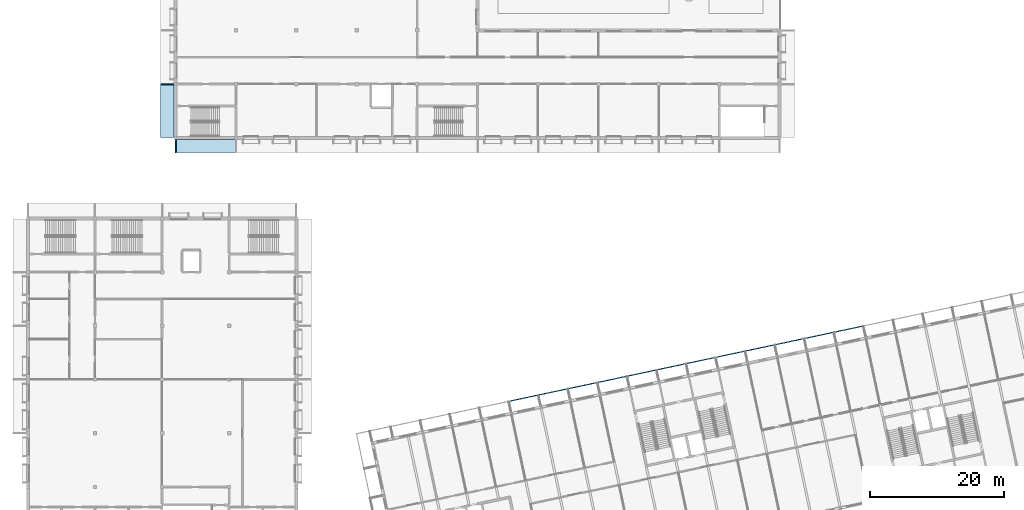
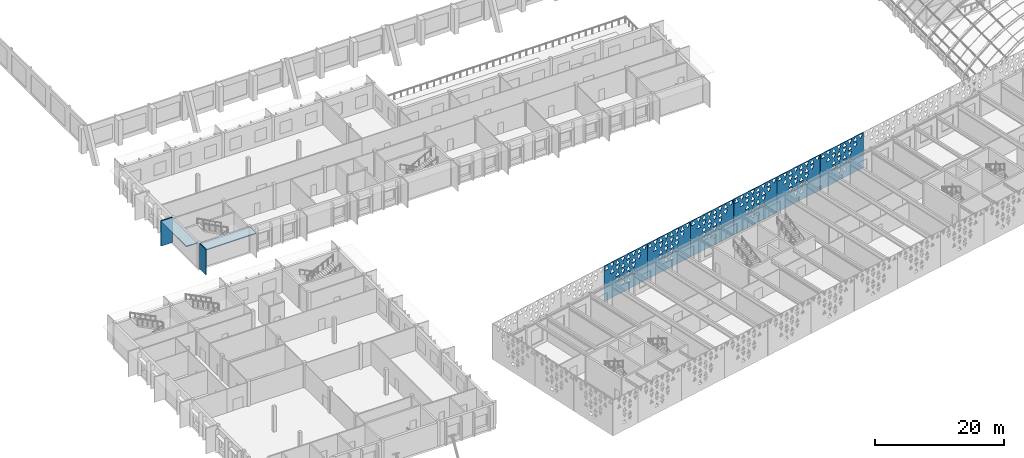
# One storey, part 98 of 182: 10 plates.
"""IFC4 building model written with IfcOpenShell, lengths in metres."""

from ifc_helpers import new_model, si_unit, direction, frame, origin, origin_2d, place, context, subcontext, project, spatial, polyline, rectangle, outline, extrude, material, layer, layer_set, type_object, element, save


model = new_model("IFC4")

# Units and contexts
model_context = context("Model", 3, precision=1e-05, world=origin(), true_north=direction((0.0, 1.0)))
body_context = subcontext(model_context, "Body", "Model", "MODEL_VIEW")
ifc_project = project(units=[si_unit("LENGTHUNIT", "METRE"), si_unit("AREAUNIT", "SQUARE_METRE"), si_unit("VOLUMEUNIT", "CUBIC_METRE"), si_unit("PLANEANGLEUNIT", "RADIAN"), si_unit("MASSUNIT", "GRAM", prefix="KILO")], contexts=[model_context])

# Site, building, storey
site_placement = place(None, origin())
site = spatial("IfcSite", under=ifc_project, at=site_placement, CompositionType="ELEMENT")
building_placement = place(site_placement, origin())
building = spatial("IfcBuilding", under=site, at=building_placement, Name="Okhra Congress Centre", CompositionType="ELEMENT")
storey_placement = place(building_placement, frame((0.0, 0.0, 7.199951171875)))
storey = spatial("IfcBuildingStorey", under=building, at=storey_placement, Name="L01", CompositionType="ELEMENT", Elevation=7.199951171875)

# Plates
ifc_material_1 = material(Name="Precast concrete C40/50", Category="concrete")
plate_type_1 = type_object("IfcPlateType", Name="Precast concrete blade 150x2000 C40/50", PredefinedType="SHEET", material=ifc_material_1)
for number, where, z_axis, x_axis, name in (
    (1, (28.0, 94.77490234375, 0.0), (0.0, 0.0, 1.0), (1.0, 0.0, 0.0), "SV.PLT.L01.blade-1"),
    (2, (26.77490234375, 104.0, 0.0), (0.0, 0.0, 1.0), (0.0, -1.0, 0.0), "SV.PLT.L01.blade-18"),
):
    element("IfcPlate", number, at=place(storey_placement, frame(where, z_axis=z_axis, x_axis=x_axis)), inside=storey, type_object=plate_type_1, Name=name, PredefinedType="SHEET", context=body_context, shape_type="SweptSolid", body=[
        extrude(rectangle(XDim=0.14990234375, YDim=2.0, at=origin_2d()), origin(), (0.0, 0.0, 1.0), 4.800048828125),
    ])
ifc_layer_1 = layer(ifc_material_1, 0.14990234375)
ifc_layer_set_1 = layer_set([ifc_layer_1], Name="Precast concrete shelf 150x2000 C40/50")
plate_type_2 = type_object("IfcPlateType", Name="Precast concrete shelf 150x2000 C40/50", PredefinedType="SHEET", material=ifc_layer_set_1)
plate_1_placement = place(storey_placement, frame((32.5, 94.77490234375, 4.60009765625), z_axis=(0.0, 0.0, 1.0), x_axis=(1.0, 0.0, 0.0)))
element("IfcPlate", 3, at=plate_1_placement, inside=storey, type_object=plate_type_2, Name="SV.PLT.L01.shelf-1", PredefinedType="SHEET", context=body_context, shape_type="SweptSolid", body=[
    extrude(rectangle(XDim=8.840087890625, YDim=2.0, at=origin_2d()), origin(), (0.0, 0.0, 1.0), 0.14990234375),
])
plate_2_placement = place(storey_placement, frame((26.77490234375, 100.0, 4.60009765625), z_axis=(0.0, 0.0, 1.0), x_axis=(0.0, -1.0, 0.0)))
element("IfcPlate", 4, at=plate_2_placement, inside=storey, type_object=plate_type_2, Name="SV.PLT.L01.shelf-16", PredefinedType="SHEET", context=body_context, shape_type="SweptSolid", body=[
    extrude(rectangle(XDim=7.840087890625, YDim=2.0, at=origin_2d()), origin(), (0.0, 0.0, 1.0), 0.14990234375),
])
ifc_material_2 = material(Name="Fired clay terracotta rainscreen panel, deep oxide-red glaze, non-combustible", Category="masonry")
ifc_layer_2 = layer(ifc_material_2, 0.080078125)
ifc_layer_set_2 = layer_set([ifc_layer_2], Name="Terracotta screen panel 8980x6720")
plate_type_3 = type_object("IfcPlateType", Name="Terracotta screen panel 8980x6720", PredefinedType="SHEET", material=ifc_layer_set_2)
plate_3_placement = place(storey_placement, frame((130.460205078125, 67.97314453125, 0.010009765625), z_axis=(0.0, 0.0, 1.0), x_axis=(-0.978144061878, -0.207928339131, 0.0)))
element("IfcPlate", 5, at=plate_3_placement, inside=storey, type_object=plate_type_3, Name="Screen panel N11 Tier 1", PredefinedType="SHEET", context=body_context, shape_type="SweptSolid", body=[
    extrude(outline(polyline([(0.0, 0.0), (8.97998046875, 0.0), (8.97998046875, 6.719970703125), (0.0, 6.719970703125), (0.0, 0.0)]), holes=[polyline([(3.536376953125, 1.303955078125), (4.3037109375, 1.303955078125), (3.919921875, 2.05615234375), (3.536376953125, 1.303955078125)]), polyline([(4.656494140625, 2.05615234375), (5.0400390625, 1.303955078125), (5.423583984375, 2.05615234375), (4.656494140625, 2.05615234375)]), polyline([(2.41650390625, 2.423828125), (3.18359375, 2.423828125), (2.800048828125, 3.176025390625), (2.41650390625, 2.423828125)]), polyline([(3.536376953125, 3.176025390625), (3.919921875, 2.423828125), (4.3037109375, 3.176025390625), (3.536376953125, 3.176025390625)]), polyline([(4.656494140625, 2.423828125), (5.423583984375, 2.423828125), (5.0400390625, 3.176025390625), (4.656494140625, 2.423828125)]), polyline([(5.7763671875, 3.176025390625), (6.159912109375, 2.423828125), (6.543701171875, 3.176025390625), (5.7763671875, 3.176025390625)]), polyline([(2.41650390625, 4.296142578125), (2.800048828125, 3.5439453125), (3.18359375, 4.296142578125), (2.41650390625, 4.296142578125)]), polyline([(3.536376953125, 3.5439453125), (4.3037109375, 3.5439453125), (3.919921875, 4.296142578125), (3.536376953125, 3.5439453125)]), polyline([(4.656494140625, 4.296142578125), (5.0400390625, 3.5439453125), (5.423583984375, 4.296142578125), (4.656494140625, 4.296142578125)]), polyline([(5.7763671875, 3.5439453125), (6.543701171875, 3.5439453125), (6.159912109375, 4.296142578125), (5.7763671875, 3.5439453125)]), polyline([(1.29638671875, 5.416015625), (1.679931640625, 4.663818359375), (2.0634765625, 5.416015625), (1.29638671875, 5.416015625)]), polyline([(2.41650390625, 4.663818359375), (3.18359375, 4.663818359375), (2.800048828125, 5.416015625), (2.41650390625, 4.663818359375)]), polyline([(3.536376953125, 5.416015625), (3.919921875, 4.663818359375), (4.3037109375, 5.416015625), (3.536376953125, 5.416015625)]), polyline([(4.656494140625, 4.663818359375), (5.423583984375, 4.663818359375), (5.0400390625, 5.416015625), (4.656494140625, 4.663818359375)]), polyline([(5.7763671875, 5.416015625), (6.159912109375, 4.663818359375), (6.543701171875, 5.416015625), (5.7763671875, 5.416015625)]), polyline([(6.896484375, 4.663818359375), (7.66357421875, 4.663818359375), (7.280029296875, 5.416015625), (6.896484375, 4.663818359375)]), polyline([(0.176513671875, 6.5361328125), (0.56005859375, 5.783935546875), (0.943603515625, 6.5361328125), (0.176513671875, 6.5361328125)]), polyline([(1.29638671875, 5.783935546875), (2.0634765625, 5.783935546875), (1.679931640625, 6.5361328125), (1.29638671875, 5.783935546875)]), polyline([(2.41650390625, 6.5361328125), (2.800048828125, 5.783935546875), (3.18359375, 6.5361328125), (2.41650390625, 6.5361328125)]), polyline([(3.536376953125, 5.783935546875), (4.3037109375, 5.783935546875), (3.919921875, 6.5361328125), (3.536376953125, 5.783935546875)]), polyline([(4.656494140625, 6.5361328125), (5.0400390625, 5.783935546875), (5.423583984375, 6.5361328125), (4.656494140625, 6.5361328125)]), polyline([(5.7763671875, 5.783935546875), (6.543701171875, 5.783935546875), (6.159912109375, 6.5361328125), (5.7763671875, 5.783935546875)]), polyline([(6.896484375, 6.5361328125), (7.280029296875, 5.783935546875), (7.66357421875, 6.5361328125), (6.896484375, 6.5361328125)]), polyline([(8.016357421875, 5.783935546875), (8.78369140625, 5.783935546875), (8.39990234375, 6.5361328125), (8.016357421875, 5.783935546875)])]), frame((0.0, 0.0400390625, 0.0), z_axis=(0.0, -1.0, 0.0), x_axis=(1.0, 0.0, 0.0)), (0.0, 0.0, 1.0), 0.080078125),
])
plate_4_placement = place(storey_placement, frame((121.65673828125, 66.101806640625, 0.010009765625), z_axis=(0.0, 0.0, 1.0), x_axis=(-0.978149591018, -0.207902327047, 0.0)))
element("IfcPlate", 6, at=plate_4_placement, inside=storey, type_object=plate_type_3, Name="Screen panel N12 Tier 1", PredefinedType="SHEET", context=body_context, shape_type="SweptSolid", body=[
    extrude(outline(polyline([(0.0, 0.0), (8.97998046875, 0.0), (8.97998046875, 6.719970703125), (0.0, 6.719970703125), (0.0, 0.0)]), holes=[polyline([(3.536376953125, 1.303955078125), (4.3037109375, 1.303955078125), (3.919921875, 2.05615234375), (3.536376953125, 1.303955078125)]), polyline([(4.656494140625, 2.05615234375), (5.0400390625, 1.303955078125), (5.423583984375, 2.05615234375), (4.656494140625, 2.05615234375)]), polyline([(2.41650390625, 2.423828125), (3.18359375, 2.423828125), (2.800048828125, 3.176025390625), (2.41650390625, 2.423828125)]), polyline([(3.536376953125, 3.176025390625), (3.919921875, 2.423828125), (4.3037109375, 3.176025390625), (3.536376953125, 3.176025390625)]), polyline([(4.656494140625, 2.423828125), (5.423583984375, 2.423828125), (5.0400390625, 3.176025390625), (4.656494140625, 2.423828125)]), polyline([(5.7763671875, 3.176025390625), (6.159912109375, 2.423828125), (6.543701171875, 3.176025390625), (5.7763671875, 3.176025390625)]), polyline([(2.41650390625, 4.296142578125), (2.800048828125, 3.5439453125), (3.18359375, 4.296142578125), (2.41650390625, 4.296142578125)]), polyline([(3.536376953125, 3.5439453125), (4.3037109375, 3.5439453125), (3.919921875, 4.296142578125), (3.536376953125, 3.5439453125)]), polyline([(4.656494140625, 4.296142578125), (5.0400390625, 3.5439453125), (5.423583984375, 4.296142578125), (4.656494140625, 4.296142578125)]), polyline([(5.7763671875, 3.5439453125), (6.543701171875, 3.5439453125), (6.159912109375, 4.296142578125), (5.7763671875, 3.5439453125)]), polyline([(1.29638671875, 5.416015625), (1.679931640625, 4.663818359375), (2.0634765625, 5.416015625), (1.29638671875, 5.416015625)]), polyline([(2.41650390625, 4.663818359375), (3.18359375, 4.663818359375), (2.800048828125, 5.416015625), (2.41650390625, 4.663818359375)]), polyline([(3.536376953125, 5.416015625), (3.919921875, 4.663818359375), (4.3037109375, 5.416015625), (3.536376953125, 5.416015625)]), polyline([(4.656494140625, 4.663818359375), (5.423583984375, 4.663818359375), (5.0400390625, 5.416015625), (4.656494140625, 4.663818359375)]), polyline([(5.7763671875, 5.416015625), (6.159912109375, 4.663818359375), (6.543701171875, 5.416015625), (5.7763671875, 5.416015625)]), polyline([(6.896484375, 4.663818359375), (7.66357421875, 4.663818359375), (7.280029296875, 5.416015625), (6.896484375, 4.663818359375)]), polyline([(0.176513671875, 6.5361328125), (0.56005859375, 5.783935546875), (0.943603515625, 6.5361328125), (0.176513671875, 6.5361328125)]), polyline([(1.29638671875, 5.783935546875), (2.0634765625, 5.783935546875), (1.679931640625, 6.5361328125), (1.29638671875, 5.783935546875)]), polyline([(2.41650390625, 6.5361328125), (2.800048828125, 5.783935546875), (3.18359375, 6.5361328125), (2.41650390625, 6.5361328125)]), polyline([(3.536376953125, 5.783935546875), (4.3037109375, 5.783935546875), (3.919921875, 6.5361328125), (3.536376953125, 5.783935546875)]), polyline([(4.656494140625, 6.5361328125), (5.0400390625, 5.783935546875), (5.423583984375, 6.5361328125), (4.656494140625, 6.5361328125)]), polyline([(5.7763671875, 5.783935546875), (6.543701171875, 5.783935546875), (6.159912109375, 6.5361328125), (5.7763671875, 5.783935546875)]), polyline([(6.896484375, 6.5361328125), (7.280029296875, 5.783935546875), (7.66357421875, 6.5361328125), (6.896484375, 6.5361328125)]), polyline([(8.016357421875, 5.783935546875), (8.78369140625, 5.783935546875), (8.39990234375, 6.5361328125), (8.016357421875, 5.783935546875)])]), frame((0.0, 0.0400390625, 0.0), z_axis=(0.0, -1.0, 0.0), x_axis=(1.0, 0.0, 0.0)), (0.0, 0.0, 1.0), 0.080078125),
])
plate_5_placement = place(storey_placement, frame((112.853515625, 64.230712890625, 0.010009765625), z_axis=(0.0, 0.0, 1.0), x_axis=(-0.978144061878, -0.207928339131, 0.0)))
element("IfcPlate", 7, at=plate_5_placement, inside=storey, type_object=plate_type_3, Name="Screen panel N13 Tier 1", PredefinedType="SHEET", context=body_context, shape_type="SweptSolid", body=[
    extrude(outline(polyline([(0.0, 0.0), (8.97998046875, 0.0), (8.97998046875, 6.719970703125), (0.0, 6.719970703125), (0.0, 0.0)]), holes=[polyline([(3.536376953125, 1.303955078125), (4.3037109375, 1.303955078125), (3.919921875, 2.05615234375), (3.536376953125, 1.303955078125)]), polyline([(4.656494140625, 2.05615234375), (5.0400390625, 1.303955078125), (5.423583984375, 2.05615234375), (4.656494140625, 2.05615234375)]), polyline([(2.41650390625, 2.423828125), (3.18359375, 2.423828125), (2.800048828125, 3.176025390625), (2.41650390625, 2.423828125)]), polyline([(3.536376953125, 3.176025390625), (3.919921875, 2.423828125), (4.3037109375, 3.176025390625), (3.536376953125, 3.176025390625)]), polyline([(4.656494140625, 2.423828125), (5.423583984375, 2.423828125), (5.0400390625, 3.176025390625), (4.656494140625, 2.423828125)]), polyline([(5.7763671875, 3.176025390625), (6.159912109375, 2.423828125), (6.543701171875, 3.176025390625), (5.7763671875, 3.176025390625)]), polyline([(2.41650390625, 4.296142578125), (2.800048828125, 3.5439453125), (3.18359375, 4.296142578125), (2.41650390625, 4.296142578125)]), polyline([(3.536376953125, 3.5439453125), (4.3037109375, 3.5439453125), (3.919921875, 4.296142578125), (3.536376953125, 3.5439453125)]), polyline([(4.656494140625, 4.296142578125), (5.0400390625, 3.5439453125), (5.423583984375, 4.296142578125), (4.656494140625, 4.296142578125)]), polyline([(5.7763671875, 3.5439453125), (6.543701171875, 3.5439453125), (6.159912109375, 4.296142578125), (5.7763671875, 3.5439453125)]), polyline([(1.29638671875, 5.416015625), (1.679931640625, 4.663818359375), (2.0634765625, 5.416015625), (1.29638671875, 5.416015625)]), polyline([(2.41650390625, 4.663818359375), (3.18359375, 4.663818359375), (2.800048828125, 5.416015625), (2.41650390625, 4.663818359375)]), polyline([(3.536376953125, 5.416015625), (3.919921875, 4.663818359375), (4.3037109375, 5.416015625), (3.536376953125, 5.416015625)]), polyline([(4.656494140625, 4.663818359375), (5.423583984375, 4.663818359375), (5.0400390625, 5.416015625), (4.656494140625, 4.663818359375)]), polyline([(5.7763671875, 5.416015625), (6.159912109375, 4.663818359375), (6.543701171875, 5.416015625), (5.7763671875, 5.416015625)]), polyline([(6.896484375, 4.663818359375), (7.66357421875, 4.663818359375), (7.280029296875, 5.416015625), (6.896484375, 4.663818359375)]), polyline([(0.176513671875, 6.5361328125), (0.56005859375, 5.783935546875), (0.943603515625, 6.5361328125), (0.176513671875, 6.5361328125)]), polyline([(1.29638671875, 5.783935546875), (2.0634765625, 5.783935546875), (1.679931640625, 6.5361328125), (1.29638671875, 5.783935546875)]), polyline([(2.41650390625, 6.5361328125), (2.800048828125, 5.783935546875), (3.18359375, 6.5361328125), (2.41650390625, 6.5361328125)]), polyline([(3.536376953125, 5.783935546875), (4.3037109375, 5.783935546875), (3.919921875, 6.5361328125), (3.536376953125, 5.783935546875)]), polyline([(4.656494140625, 6.5361328125), (5.0400390625, 5.783935546875), (5.423583984375, 6.5361328125), (4.656494140625, 6.5361328125)]), polyline([(5.7763671875, 5.783935546875), (6.543701171875, 5.783935546875), (6.159912109375, 6.5361328125), (5.7763671875, 5.783935546875)]), polyline([(6.896484375, 6.5361328125), (7.280029296875, 5.783935546875), (7.66357421875, 6.5361328125), (6.896484375, 6.5361328125)]), polyline([(8.016357421875, 5.783935546875), (8.78369140625, 5.783935546875), (8.39990234375, 6.5361328125), (8.016357421875, 5.783935546875)])]), frame((0.0, 0.0400390625, 0.0), z_axis=(0.0, -1.0, 0.0), x_axis=(1.0, 0.0, 0.0)), (0.0, 0.0, 1.0), 0.080078125),
])
plate_6_placement = place(storey_placement, frame((104.05029296875, 62.359375, 0.010009765625), z_axis=(0.0, 0.0, 1.0), x_axis=(-0.978150766104, -0.207896798366, 0.0)))
element("IfcPlate", 8, at=plate_6_placement, inside=storey, type_object=plate_type_3, Name="Screen panel N14 Tier 1", PredefinedType="SHEET", context=body_context, shape_type="SweptSolid", body=[
    extrude(outline(polyline([(0.0, 0.0), (8.980224609375, 0.0), (8.980224609375, 6.719970703125), (0.0, 6.719970703125), (0.0, 0.0)]), holes=[polyline([(3.536376953125, 1.303955078125), (4.3037109375, 1.303955078125), (3.919921875, 2.05615234375), (3.536376953125, 1.303955078125)]), polyline([(4.656494140625, 2.05615234375), (5.0400390625, 1.303955078125), (5.423583984375, 2.05615234375), (4.656494140625, 2.05615234375)]), polyline([(2.41650390625, 2.423828125), (3.18359375, 2.423828125), (2.800048828125, 3.176025390625), (2.41650390625, 2.423828125)]), polyline([(3.536376953125, 3.176025390625), (3.919921875, 2.423828125), (4.3037109375, 3.176025390625), (3.536376953125, 3.176025390625)]), polyline([(4.656494140625, 2.423828125), (5.423583984375, 2.423828125), (5.0400390625, 3.176025390625), (4.656494140625, 2.423828125)]), polyline([(5.7763671875, 3.176025390625), (6.159912109375, 2.423828125), (6.543701171875, 3.176025390625), (5.7763671875, 3.176025390625)]), polyline([(2.41650390625, 4.296142578125), (2.800048828125, 3.5439453125), (3.18359375, 4.296142578125), (2.41650390625, 4.296142578125)]), polyline([(3.536376953125, 3.5439453125), (4.3037109375, 3.5439453125), (3.919921875, 4.296142578125), (3.536376953125, 3.5439453125)]), polyline([(4.656494140625, 4.296142578125), (5.0400390625, 3.5439453125), (5.423583984375, 4.296142578125), (4.656494140625, 4.296142578125)]), polyline([(5.7763671875, 3.5439453125), (6.543701171875, 3.5439453125), (6.159912109375, 4.296142578125), (5.7763671875, 3.5439453125)]), polyline([(1.29638671875, 5.416015625), (1.679931640625, 4.663818359375), (2.0634765625, 5.416015625), (1.29638671875, 5.416015625)]), polyline([(2.41650390625, 4.663818359375), (3.18359375, 4.663818359375), (2.800048828125, 5.416015625), (2.41650390625, 4.663818359375)]), polyline([(3.536376953125, 5.416015625), (3.919921875, 4.663818359375), (4.3037109375, 5.416015625), (3.536376953125, 5.416015625)]), polyline([(4.656494140625, 4.663818359375), (5.423583984375, 4.663818359375), (5.0400390625, 5.416015625), (4.656494140625, 4.663818359375)]), polyline([(5.7763671875, 5.416015625), (6.159912109375, 4.663818359375), (6.543701171875, 5.416015625), (5.7763671875, 5.416015625)]), polyline([(6.896484375, 4.663818359375), (7.66357421875, 4.663818359375), (7.280029296875, 5.416015625), (6.896484375, 4.663818359375)]), polyline([(0.176513671875, 6.5361328125), (0.56005859375, 5.783935546875), (0.943603515625, 6.5361328125), (0.176513671875, 6.5361328125)]), polyline([(1.29638671875, 5.783935546875), (2.0634765625, 5.783935546875), (1.679931640625, 6.5361328125), (1.29638671875, 5.783935546875)]), polyline([(2.41650390625, 6.5361328125), (2.800048828125, 5.783935546875), (3.18359375, 6.5361328125), (2.41650390625, 6.5361328125)]), polyline([(3.536376953125, 5.783935546875), (4.3037109375, 5.783935546875), (3.919921875, 6.5361328125), (3.536376953125, 5.783935546875)]), polyline([(4.656494140625, 6.5361328125), (5.0400390625, 5.783935546875), (5.423583984375, 6.5361328125), (4.656494140625, 6.5361328125)]), polyline([(5.7763671875, 5.783935546875), (6.543701171875, 5.783935546875), (6.159912109375, 6.5361328125), (5.7763671875, 5.783935546875)]), polyline([(6.896484375, 6.5361328125), (7.280029296875, 5.783935546875), (7.66357421875, 6.5361328125), (6.896484375, 6.5361328125)]), polyline([(8.016357421875, 5.783935546875), (8.78369140625, 5.783935546875), (8.39990234375, 6.5361328125), (8.016357421875, 5.783935546875)])]), frame((0.0, 0.0400390625, 0.0), z_axis=(0.0, -1.0, 0.0), x_axis=(1.0, 0.0, 0.0)), (0.0, 0.0, 1.0), 0.080078125),
])
plate_7_placement = place(storey_placement, frame((95.246826171875, 60.48828125, 0.010009765625), z_axis=(0.0, 0.0, 1.0), x_axis=(-0.978144061878, -0.207928339131, 0.0)))
element("IfcPlate", 9, at=plate_7_placement, inside=storey, type_object=plate_type_3, Name="Screen panel N15 Tier 1", PredefinedType="SHEET", context=body_context, shape_type="SweptSolid", body=[
    extrude(outline(polyline([(0.0, 0.0), (8.97998046875, 0.0), (8.97998046875, 6.719970703125), (0.0, 6.719970703125), (0.0, 0.0)]), holes=[polyline([(3.536376953125, 1.303955078125), (4.3037109375, 1.303955078125), (3.919921875, 2.05615234375), (3.536376953125, 1.303955078125)]), polyline([(4.656494140625, 2.05615234375), (5.0400390625, 1.303955078125), (5.423583984375, 2.05615234375), (4.656494140625, 2.05615234375)]), polyline([(2.41650390625, 2.423828125), (3.18359375, 2.423828125), (2.800048828125, 3.176025390625), (2.41650390625, 2.423828125)]), polyline([(3.536376953125, 3.176025390625), (3.919921875, 2.423828125), (4.3037109375, 3.176025390625), (3.536376953125, 3.176025390625)]), polyline([(4.656494140625, 2.423828125), (5.423583984375, 2.423828125), (5.0400390625, 3.176025390625), (4.656494140625, 2.423828125)]), polyline([(5.7763671875, 3.176025390625), (6.159912109375, 2.423828125), (6.543701171875, 3.176025390625), (5.7763671875, 3.176025390625)]), polyline([(2.41650390625, 4.296142578125), (2.800048828125, 3.5439453125), (3.18359375, 4.296142578125), (2.41650390625, 4.296142578125)]), polyline([(3.536376953125, 3.5439453125), (4.3037109375, 3.5439453125), (3.919921875, 4.296142578125), (3.536376953125, 3.5439453125)]), polyline([(4.656494140625, 4.296142578125), (5.0400390625, 3.5439453125), (5.423583984375, 4.296142578125), (4.656494140625, 4.296142578125)]), polyline([(5.7763671875, 3.5439453125), (6.543701171875, 3.5439453125), (6.159912109375, 4.296142578125), (5.7763671875, 3.5439453125)]), polyline([(1.29638671875, 5.416015625), (1.679931640625, 4.663818359375), (2.0634765625, 5.416015625), (1.29638671875, 5.416015625)]), polyline([(2.41650390625, 4.663818359375), (3.18359375, 4.663818359375), (2.800048828125, 5.416015625), (2.41650390625, 4.663818359375)]), polyline([(3.536376953125, 5.416015625), (3.919921875, 4.663818359375), (4.3037109375, 5.416015625), (3.536376953125, 5.416015625)]), polyline([(4.656494140625, 4.663818359375), (5.423583984375, 4.663818359375), (5.0400390625, 5.416015625), (4.656494140625, 4.663818359375)]), polyline([(5.7763671875, 5.416015625), (6.159912109375, 4.663818359375), (6.543701171875, 5.416015625), (5.7763671875, 5.416015625)]), polyline([(6.896484375, 4.663818359375), (7.66357421875, 4.663818359375), (7.280029296875, 5.416015625), (6.896484375, 4.663818359375)]), polyline([(0.176513671875, 6.5361328125), (0.56005859375, 5.783935546875), (0.943603515625, 6.5361328125), (0.176513671875, 6.5361328125)]), polyline([(1.29638671875, 5.783935546875), (2.0634765625, 5.783935546875), (1.679931640625, 6.5361328125), (1.29638671875, 5.783935546875)]), polyline([(2.41650390625, 6.5361328125), (2.800048828125, 5.783935546875), (3.18359375, 6.5361328125), (2.41650390625, 6.5361328125)]), polyline([(3.536376953125, 5.783935546875), (4.3037109375, 5.783935546875), (3.919921875, 6.5361328125), (3.536376953125, 5.783935546875)]), polyline([(4.656494140625, 6.5361328125), (5.0400390625, 5.783935546875), (5.423583984375, 6.5361328125), (4.656494140625, 6.5361328125)]), polyline([(5.7763671875, 5.783935546875), (6.543701171875, 5.783935546875), (6.159912109375, 6.5361328125), (5.7763671875, 5.783935546875)]), polyline([(6.896484375, 6.5361328125), (7.280029296875, 5.783935546875), (7.66357421875, 6.5361328125), (6.896484375, 6.5361328125)]), polyline([(8.016357421875, 5.783935546875), (8.78369140625, 5.783935546875), (8.39990234375, 6.5361328125), (8.016357421875, 5.783935546875)])]), frame((0.0, 0.0400390625, 0.0), z_axis=(0.0, -1.0, 0.0), x_axis=(1.0, 0.0, 0.0)), (0.0, 0.0, 1.0), 0.080078125),
])
plate_8_placement = place(storey_placement, frame((86.443603515625, 58.616943359375, 0.010009765625), z_axis=(0.0, 0.0, 1.0), x_axis=(-0.978150766104, -0.207896798366, 0.0)))
element("IfcPlate", 10, at=plate_8_placement, inside=storey, type_object=plate_type_3, Name="Screen panel N16 Tier 1", PredefinedType="SHEET", context=body_context, shape_type="SweptSolid", body=[
    extrude(outline(polyline([(0.0, 0.0), (8.980224609375, 0.0), (8.980224609375, 6.719970703125), (0.0, 6.719970703125), (0.0, 0.0)]), holes=[polyline([(3.536376953125, 1.303955078125), (4.3037109375, 1.303955078125), (3.919921875, 2.05615234375), (3.536376953125, 1.303955078125)]), polyline([(4.656494140625, 2.05615234375), (5.0400390625, 1.303955078125), (5.423583984375, 2.05615234375), (4.656494140625, 2.05615234375)]), polyline([(2.41650390625, 2.423828125), (3.18359375, 2.423828125), (2.800048828125, 3.176025390625), (2.41650390625, 2.423828125)]), polyline([(3.536376953125, 3.176025390625), (3.919921875, 2.423828125), (4.3037109375, 3.176025390625), (3.536376953125, 3.176025390625)]), polyline([(4.656494140625, 2.423828125), (5.423583984375, 2.423828125), (5.0400390625, 3.176025390625), (4.656494140625, 2.423828125)]), polyline([(5.7763671875, 3.176025390625), (6.159912109375, 2.423828125), (6.543701171875, 3.176025390625), (5.7763671875, 3.176025390625)]), polyline([(2.41650390625, 4.296142578125), (2.800048828125, 3.5439453125), (3.18359375, 4.296142578125), (2.41650390625, 4.296142578125)]), polyline([(3.536376953125, 3.5439453125), (4.3037109375, 3.5439453125), (3.919921875, 4.296142578125), (3.536376953125, 3.5439453125)]), polyline([(4.656494140625, 4.296142578125), (5.0400390625, 3.5439453125), (5.423583984375, 4.296142578125), (4.656494140625, 4.296142578125)]), polyline([(5.7763671875, 3.5439453125), (6.543701171875, 3.5439453125), (6.159912109375, 4.296142578125), (5.7763671875, 3.5439453125)]), polyline([(1.29638671875, 5.416015625), (1.679931640625, 4.663818359375), (2.0634765625, 5.416015625), (1.29638671875, 5.416015625)]), polyline([(2.41650390625, 4.663818359375), (3.18359375, 4.663818359375), (2.800048828125, 5.416015625), (2.41650390625, 4.663818359375)]), polyline([(3.536376953125, 5.416015625), (3.919921875, 4.663818359375), (4.3037109375, 5.416015625), (3.536376953125, 5.416015625)]), polyline([(4.656494140625, 4.663818359375), (5.423583984375, 4.663818359375), (5.0400390625, 5.416015625), (4.656494140625, 4.663818359375)]), polyline([(5.7763671875, 5.416015625), (6.159912109375, 4.663818359375), (6.543701171875, 5.416015625), (5.7763671875, 5.416015625)]), polyline([(6.896484375, 4.663818359375), (7.66357421875, 4.663818359375), (7.280029296875, 5.416015625), (6.896484375, 4.663818359375)]), polyline([(0.176513671875, 6.5361328125), (0.56005859375, 5.783935546875), (0.943603515625, 6.5361328125), (0.176513671875, 6.5361328125)]), polyline([(1.29638671875, 5.783935546875), (2.0634765625, 5.783935546875), (1.679931640625, 6.5361328125), (1.29638671875, 5.783935546875)]), polyline([(2.41650390625, 6.5361328125), (2.800048828125, 5.783935546875), (3.18359375, 6.5361328125), (2.41650390625, 6.5361328125)]), polyline([(3.536376953125, 5.783935546875), (4.3037109375, 5.783935546875), (3.919921875, 6.5361328125), (3.536376953125, 5.783935546875)]), polyline([(4.656494140625, 6.5361328125), (5.0400390625, 5.783935546875), (5.423583984375, 6.5361328125), (4.656494140625, 6.5361328125)]), polyline([(5.7763671875, 5.783935546875), (6.543701171875, 5.783935546875), (6.159912109375, 6.5361328125), (5.7763671875, 5.783935546875)]), polyline([(6.896484375, 6.5361328125), (7.280029296875, 5.783935546875), (7.66357421875, 6.5361328125), (6.896484375, 6.5361328125)]), polyline([(8.016357421875, 5.783935546875), (8.78369140625, 5.783935546875), (8.39990234375, 6.5361328125), (8.016357421875, 5.783935546875)])]), frame((0.0, 0.0400390625, 0.0), z_axis=(0.0, -1.0, 0.0), x_axis=(1.0, 0.0, 0.0)), (0.0, 0.0, 1.0), 0.080078125),
])

save(model, "model.ifc")
